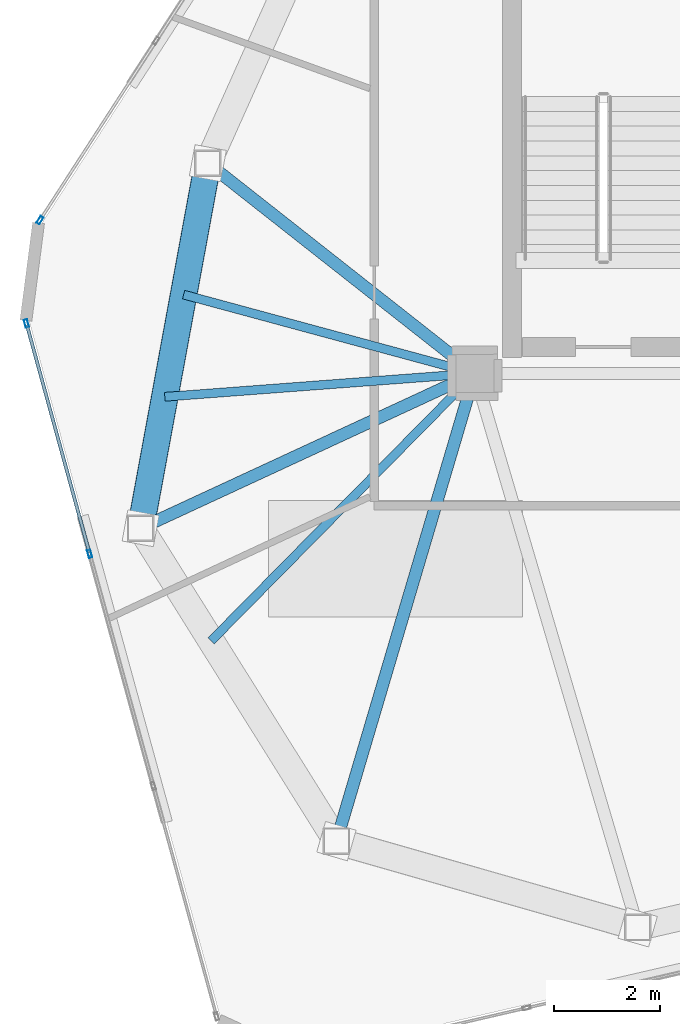
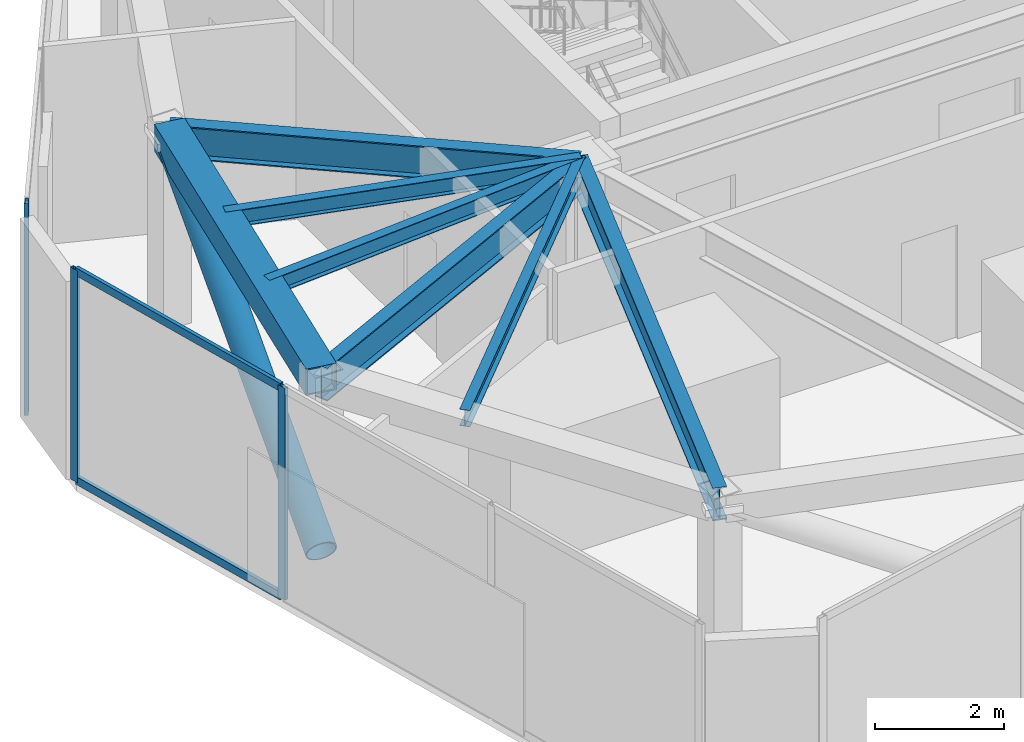
# One storey, part 5 of 21: 7 beams, 6 members, 2 elements without a shape of their own.
"""IFC4 building model written with IfcOpenShell, lengths in metres."""

from ifc_helpers import new_model, si_unit, direction, frame, origin, origin_2d, place, context, subcontext, project, spatial, hollow_rectangle, hollow_circle, i_section, extrude, source, transform, mapped, material, layer, layer_set, material_profile, profile_set, type_object, type_shapes, element, aggregate, save


model = new_model("IFC4")

# Units and contexts
model_context = context("Model", 3, precision=1e-05, world=origin(), true_north=direction((0.0, 1.0)))
body_context = subcontext(model_context, "Body", "Model", "MODEL_VIEW")
ifc_project = project(units=[si_unit("LENGTHUNIT", "METRE"), si_unit("AREAUNIT", "SQUARE_METRE"), si_unit("VOLUMEUNIT", "CUBIC_METRE"), si_unit("PLANEANGLEUNIT", "RADIAN"), si_unit("MASSUNIT", "GRAM", prefix="KILO")], contexts=[model_context])

# Site, building, storey
site_placement = place(None, origin())
site = spatial("IfcSite", under=ifc_project, at=site_placement, CompositionType="ELEMENT")
building_placement = place(site_placement, origin())
building = spatial("IfcBuilding", under=site, at=building_placement, Name="Talar Marvaseh", CompositionType="ELEMENT")
storey_placement = place(building_placement, frame((0.0, 0.0, 308.0)))
storey = spatial("IfcBuildingStorey", under=building, at=storey_placement, Name="L82", CompositionType="ELEMENT", Elevation=308.0)

# Beams
ifc_material_1 = material(Name="Steel S460", Category="steel")
ifc_material_profile_1 = material_profile(ifc_material_1, hollow_rectangle(XDim=0.5, YDim=0.5, WallThickness=0.02490234375, at=origin_2d()), Name="BOX500x500x25")
ifc_profile_set_1 = profile_set([ifc_material_profile_1], Name="Steel S460")
beam_type_1 = type_object("IfcBeamType", Name="Crown Frame Top Ring Beam BOX500x500x25", PredefinedType="BEAM", material=ifc_profile_set_1)
beam_1_placement = place(storey_placement, frame((12.388916015625, 22.576904296875, 3.489990234375), z_axis=(0.18106135948, 0.983471801377, 0.0), x_axis=(-0.983471801377, 0.18106135948, 0.0)))
element("IfcBeam", 1, at=beam_1_placement, inside=storey, type_object=beam_type_1, Name="L82 Crown Frame Top Ring Beam BOX500x500x25", PredefinedType="BEAM", context=body_context, shape_type="SweptSolid", body=[
    extrude(hollow_rectangle(XDim=0.5, YDim=0.5, WallThickness=0.02490234375, at=origin_2d()), origin(), (0.0, 0.0, 1.0), 7.0087890625),
])
ifc_material_2 = material(Name="Steel S355", Category="steel")
ifc_material_profile_2 = material_profile(ifc_material_2, i_section(OverallWidth=0.166015625, OverallDepth=0.31298828125, WebThickness=0.006591796875, FlangeThickness=0.01123046875, at=origin_2d()), Name="W310x45")
ifc_profile_set_2 = profile_set([ifc_material_profile_2], Name="Steel S355")
beam_type_2 = type_object("IfcBeamType", Name="Zone 3 Secondary Floor Joist W310x45", PredefinedType="JOIST", material=ifc_profile_set_2)
beam_2_placement = place(storey_placement, frame((12.845703125, 25.05859375, 3.58349609375), z_axis=(0.997169535009, 0.075185892627, 0.0), x_axis=(-0.075185892627, 0.997169535009, 0.0)))
element("IfcBeam", 2, at=beam_2_placement, inside=storey, type_object=beam_type_2, Name="L82 Zone 3 Secondary Floor Joist W310x45", PredefinedType="JOIST", context=body_context, shape_type="SweptSolid", body=[
    extrude(i_section(OverallWidth=0.166015625, OverallDepth=0.31298828125, WebThickness=0.006591796875, FlangeThickness=0.01123046875, at=origin_2d()), origin(), (0.0, 0.0, 1.0), 5.870849609375),
])
beam_3_placement = place(storey_placement, frame((13.201171875, 26.988525390625, 3.58349609375), z_axis=(0.965258580671, -0.26129652206, 0.0), x_axis=(0.26129652206, 0.965258580671, 0.0)))
element("IfcBeam", 3, at=beam_3_placement, inside=storey, type_object=beam_type_2, Name="L82 Zone 3 Secondary Floor Joist W310x45", PredefinedType="JOIST", context=body_context, shape_type="SweptSolid", body=[
    extrude(i_section(OverallWidth=0.166015625, OverallDepth=0.31298828125, WebThickness=0.006591796875, FlangeThickness=0.01123046875, at=origin_2d()), origin(), (0.0, 0.0, 1.0), 5.69677734375),
])
beam_4_placement = place(storey_placement, frame((13.72021484375, 20.44970703125, 3.58349609375), z_axis=(0.702115238584, 0.712063334085, 0.0), x_axis=(-0.712063334085, 0.702115238584, 0.0)))
element("IfcBeam", 4, at=beam_4_placement, inside=storey, type_object=beam_type_2, Name="L82 Zone 3 Secondary Floor Joist W310x45", PredefinedType="JOIST", context=body_context, shape_type="SweptSolid", body=[
    extrude(i_section(OverallWidth=0.166015625, OverallDepth=0.31298828125, WebThickness=0.006591796875, FlangeThickness=0.01123046875, at=origin_2d()), origin(), (0.0, 0.0, 1.0), 7.092529296875),
])
ifc_material_profile_3 = material_profile(ifc_material_2, i_section(OverallWidth=0.22998046875, OverallDepth=0.616943359375, WebThickness=0.01318359375, FlangeThickness=0.022216796875, at=origin_2d()), Name="W610x140")
ifc_profile_set_3 = profile_set([ifc_material_profile_3], Name="Steel S355")
beam_type_3 = type_object("IfcBeamType", Name="Zone 4 Radial Floor Girder W610x140", PredefinedType="BEAM", material=ifc_profile_set_3)
beam_5_placement = place(storey_placement, frame((12.388916015625, 22.576904296875, 3.431396484375), z_axis=(0.907394527995, 0.420279871709, 0.0), x_axis=(-0.420279871709, 0.907394527995, 0.0)))
element("IfcBeam", 5, at=beam_5_placement, inside=storey, type_object=beam_type_3, Name="L82 Zone 4 Radial Floor Girder W610x140", PredefinedType="BEAM", context=body_context, shape_type="SweptSolid", body=[
    extrude(i_section(OverallWidth=0.22998046875, OverallDepth=0.616943359375, WebThickness=0.01318359375, FlangeThickness=0.022216796875, at=origin_2d()), origin(), (0.0, 0.0, 1.0), 6.955078125),
])
beam_6_placement = place(storey_placement, frame((13.657958984375, 29.469970703125, 3.431396484375), z_axis=(0.785681617372, -0.618631066245, 0.0), x_axis=(0.618631066245, 0.785681617372, 0.0)))
element("IfcBeam", 6, at=beam_6_placement, inside=storey, type_object=beam_type_3, Name="L82 Zone 4 Radial Floor Girder W610x140", PredefinedType="BEAM", context=body_context, shape_type="SweptSolid", body=[
    extrude(i_section(OverallWidth=0.22998046875, OverallDepth=0.616943359375, WebThickness=0.01318359375, FlangeThickness=0.022216796875, at=origin_2d()), origin(), (0.0, 0.0, 1.0), 6.417236328125),
])
beam_7_placement = place(storey_placement, frame((16.0869140625, 16.66796875, 3.431396484375), z_axis=(0.283702937759, 0.958912218666, 0.0), x_axis=(-0.958912218666, 0.283702937759, 0.0)))
element("IfcBeam", 7, at=beam_7_placement, inside=storey, type_object=beam_type_3, Name="L82 Zone 4 Radial Floor Girder W610x140", PredefinedType="BEAM", context=body_context, shape_type="SweptSolid", body=[
    extrude(i_section(OverallWidth=0.22998046875, OverallDepth=0.616943359375, WebThickness=0.01318359375, FlangeThickness=0.022216796875, at=origin_2d()), origin(), (0.0, 0.0, 1.0), 9.21044921875),
])

# Member
ifc_material_profile_4 = material_profile(ifc_material_1, hollow_circle(Radius=0.25390625, WallThickness=0.02001953125, at=origin_2d()), Name="CHS508x20")
ifc_profile_set_4 = profile_set([ifc_material_profile_4], Name="Steel S460")
member_type_1 = type_object("IfcMemberType", Name="Crown Frame Diagonal Brace CHS508x20", PredefinedType="BRACE", material=ifc_profile_set_4)
shared_shape_1 = source(origin(), body_context, "Body", "SweptSolid", [
    extrude(hollow_circle(Radius=0.25390625, WallThickness=0.02001953125, at=origin_2d()), origin(), (0.0, 0.0, 1.0), 7.721435546875),
])
type_shapes(member_type_1, [shared_shape_1])
member_1_placement = place(storey_placement, frame((12.388916015625, 22.576904296875, 0.25), z_axis=(0.164350755553, 0.892704738799, 0.419603477672), x_axis=(-0.983471801377, 0.18106135948, 0.0)))
element("IfcMember", 8, at=member_1_placement, inside=storey, type_object=member_type_1, Name="L82 Crown Frame Diagonal Brace 1", PredefinedType="BRACE", context=body_context, shape_type="MappedRepresentation", body=[
    mapped(shared_shape_1, transform((0.0, 0.0, 0.0), x_axis=(1.0, 0.0, 0.0), y_axis=(0.0, 1.0, 0.0), z_axis=(0.0, 0.0, 1.0), scale=1.0)),
])

# Curtain wall, members
ifc_material_3 = material(Name="Architectural Aluminium", Category="aluminium")
ifc_layer = layer(ifc_material_3, 0.2099609375)
ifc_layer_set = layer_set([ifc_layer], Name="Architectural Aluminium")
curtain_wall_type = type_object("IfcCurtainWallType", Name="Crown Plant Acoustic Spandrel Curtain Wall", PredefinedType="NOTDEFINED", material=ifc_layer_set)
curtain_wall_1_placement = place(storey_placement, origin())
curtain_wall_1 = element("IfcCurtainWall", 9, at=curtain_wall_1_placement, inside=storey, type_object=curtain_wall_type, Name="L82 Crown Plant Acoustic Spandrel Curtain Wall", PredefinedType="NOTDEFINED")
ifc_material_profile_5 = material_profile(ifc_material_3, hollow_rectangle(XDim=0.06494140625, YDim=0.14990234375, WallThickness=0.00390625, at=origin_2d()), Name="RHS150x65x4")
ifc_profile_set_5 = profile_set([ifc_material_profile_5], Name="Architectural Aluminium")
member_type_2 = type_object("IfcMemberType", Name="Unitised Curtain Wall Slim Transom RHS150x65x4", PredefinedType="USERDEFINED", material=ifc_profile_set_5)
shared_shape_2 = source(origin(), body_context, "Body", "SweptSolid", [
    extrude(hollow_rectangle(XDim=0.06494140625, YDim=0.14990234375, WallThickness=0.00390625, at=origin_2d()), origin(), (0.0, 0.0, 1.0), 4.447509765625),
])
type_shapes(member_type_2, [shared_shape_2])
member_2_placement = place(storey_placement, frame((11.418701171875, 22.12451171875, 0.032470703125), z_axis=(-0.264649917498, 0.964344555213, 0.0), x_axis=(-0.964344555213, -0.264649917498, 0.0)))
member_2 = element("IfcMember", 10, at=member_2_placement, type_object=member_type_2, Name="CW-CRN transom 3.1", ObjectType="TRANSOM", PredefinedType="USERDEFINED", context=body_context, shape_type="MappedRepresentation", body=[
    mapped(shared_shape_2, transform((0.0, 0.0, 0.0), x_axis=(1.0, 0.0, 0.0), y_axis=(0.0, 1.0, 0.0), z_axis=(0.0, 0.0, 1.0), scale=1.0)),
])
member_3_placement = place(storey_placement, frame((11.418701171875, 22.12451171875, 3.967529296875), z_axis=(-0.264649917498, 0.964344555213, 0.0), x_axis=(-0.964344555213, -0.264649917498, 0.0)))
member_3 = element("IfcMember", 11, at=member_3_placement, type_object=member_type_2, Name="CW-CRN transom 3.2", ObjectType="TRANSOM", PredefinedType="USERDEFINED", context=body_context, shape_type="MappedRepresentation", body=[
    mapped(shared_shape_2, transform((0.0, 0.0, 0.0), x_axis=(1.0, 0.0, 0.0), y_axis=(0.0, 1.0, 0.0), z_axis=(0.0, 0.0, 1.0), scale=1.0)),
])
ifc_material_profile_6 = material_profile(ifc_material_3, hollow_rectangle(XDim=0.06494140625, YDim=0.14990234375, WallThickness=0.00390625, at=origin_2d()), Name="RHS150x65x4")
ifc_profile_set_6 = profile_set([ifc_material_profile_6], Name="Architectural Aluminium")
member_type_3 = type_object("IfcMemberType", Name="Unitised Curtain Wall Slim Mullion RHS150x65x4", PredefinedType="MULLION", material=ifc_profile_set_6)
shared_shape_3 = source(origin(), body_context, "Body", "SweptSolid", [
    extrude(hollow_rectangle(XDim=0.06494140625, YDim=0.14990234375, WallThickness=0.00390625, at=origin_2d()), origin(), (0.0, 0.0, 1.0), 4.0),
])
type_shapes(member_type_3, [shared_shape_3])
member_4_placement = place(storey_placement, frame((11.427490234375, 22.09326171875, 0.0), z_axis=(0.0, 0.0, 1.0), x_axis=(-0.964344721115, -0.264649312974, 0.0)))
member_4 = element("IfcMember", 12, at=member_4_placement, type_object=member_type_3, Name="CW-CRN mullion 3", PredefinedType="MULLION", context=body_context, shape_type="MappedRepresentation", body=[
    mapped(shared_shape_3, transform((0.0, 0.0, 0.0), x_axis=(1.0, 0.0, 0.0), y_axis=(0.0, 1.0, 0.0), z_axis=(0.0, 0.0, 1.0), scale=1.0)),
])
member_5_placement = place(storey_placement, frame((10.233154296875, 26.444580078125, 0.0), z_axis=(0.0, 0.0, 1.0), x_axis=(-0.964344721115, -0.264649312974, 0.0)))
member_5 = element("IfcMember", 13, at=member_5_placement, type_object=member_type_3, Name="CW-CRN mullion 4", PredefinedType="MULLION", context=body_context, shape_type="MappedRepresentation", body=[
    mapped(shared_shape_3, transform((0.0, 0.0, 0.0), x_axis=(1.0, 0.0, 0.0), y_axis=(0.0, 1.0, 0.0), z_axis=(0.0, 0.0, 1.0), scale=1.0)),
])
aggregate(curtain_wall_1, [member_4, member_5, member_2, member_3])

# Curtain wall, member
curtain_wall_2_placement = place(storey_placement, origin())
curtain_wall_2 = element("IfcCurtainWall", 14, at=curtain_wall_2_placement, inside=storey, type_object=curtain_wall_type, Name="L82 Crown Plant Acoustic Spandrel Curtain Wall", PredefinedType="NOTDEFINED")
member_6_placement = place(storey_placement, frame((10.488037109375, 28.39306640625, 0.0), z_axis=(0.0, 0.0, 1.0), x_axis=(-0.839314430427, 0.543646288387, 0.0)))
member_6 = element("IfcMember", 15, at=member_6_placement, type_object=member_type_3, Name="CW-CRN mullion 1", PredefinedType="MULLION", context=body_context, shape_type="MappedRepresentation", body=[
    mapped(shared_shape_3, transform((0.0, 0.0, 0.0), x_axis=(1.0, 0.0, 0.0), y_axis=(0.0, 1.0, 0.0), z_axis=(0.0, 0.0, 1.0), scale=1.0)),
])
aggregate(curtain_wall_2, [member_6])

save(model, "model.ifc")
